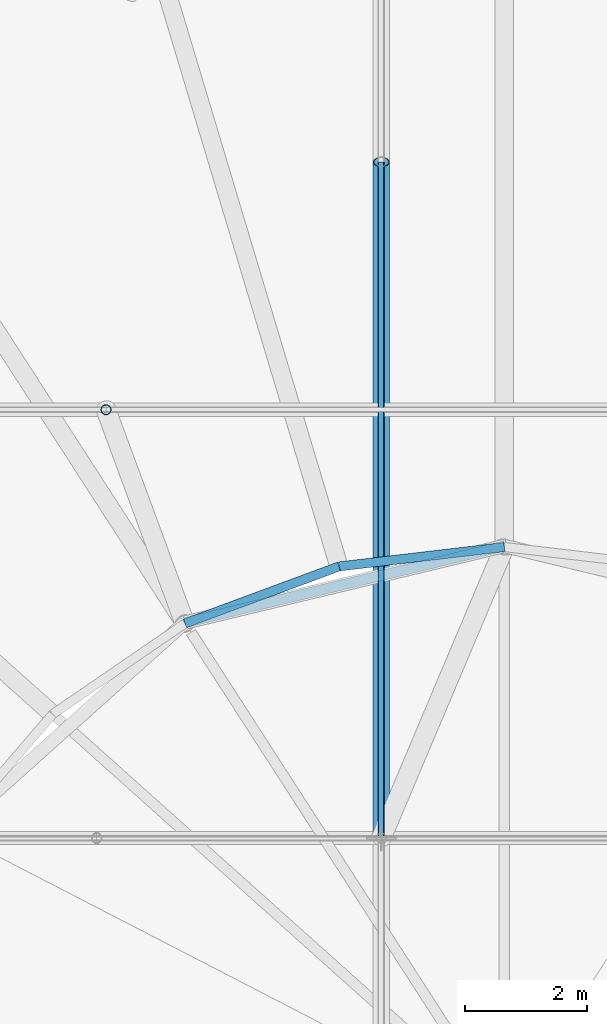
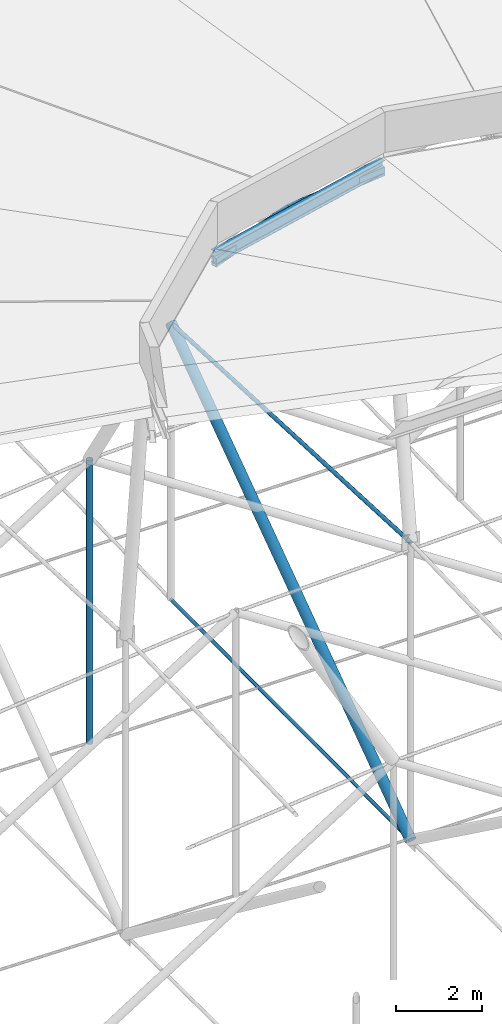
# One storey, part 63 of 173: 6 members, 1 beam.
"""IFC4 building model written with IfcOpenShell, lengths in metres."""

from ifc_helpers import new_model, si_unit, direction, frame, origin, origin_2d, place, context, subcontext, project, spatial, hollow_rectangle, circle, hollow_circle, i_section, extrude, material, material_profile, profile_set, type_object, element, save


model = new_model("IFC4")

# Units and contexts
model_context = context("Model", 3, precision=1e-05, world=origin(), true_north=direction((0.0, 1.0)))
body_context = subcontext(model_context, "Body", "Model", "MODEL_VIEW")
ifc_project = project(units=[si_unit("LENGTHUNIT", "METRE"), si_unit("AREAUNIT", "SQUARE_METRE"), si_unit("VOLUMEUNIT", "CUBIC_METRE"), si_unit("PLANEANGLEUNIT", "RADIAN"), si_unit("MASSUNIT", "GRAM", prefix="KILO")], contexts=[model_context])

# Site, building, storey
site_placement = place(None, origin())
site = spatial("IfcSite", under=ifc_project, at=site_placement, CompositionType="ELEMENT")
building_placement = place(site_placement, origin())
building = spatial("IfcBuilding", under=site, at=building_placement, Name="Glasvene Arena", CompositionType="ELEMENT")
storey_placement = place(building_placement, frame((0.0, 0.0, 28.800048828125)))
storey = spatial("IfcBuildingStorey", under=building, at=storey_placement, Name="RF", CompositionType="ELEMENT", Elevation=28.800048828125)

# Beam
ifc_material_1 = material(Name="Steel S355J2", Category="steel")
ifc_material_profile_1 = material_profile(ifc_material_1, i_section(OverallWidth=0.17138671875, OverallDepth=0.35498046875, WebThickness=0.00732421875, FlangeThickness=0.011474609375, FilletRadius=0.01025390625, at=origin_2d()), Name="UKB 356x171x51")
ifc_profile_set_1 = profile_set([ifc_material_profile_1], Name="Steel S355J2")
beam_type = type_object("IfcBeamType", Name="BM-JOIST-356", PredefinedType="JOIST", material=ifc_profile_set_1)
beam_placement = place(storey_placement, frame((86.199951171875, 77.800048828125, 13.079833984375), z_axis=(-0.972407411278, -0.233289147823, 0.0), x_axis=(0.233289147823, -0.972407411278, 0.0)))
element("IfcBeam", 1, at=beam_placement, inside=storey, type_object=beam_type, Name="Crown lantern perimeter ring beam 04", PredefinedType="JOIST", context=body_context, shape_type="SweptSolid", body=[
    extrude(i_section(OverallWidth=0.17138671875, OverallDepth=0.35498046875, WebThickness=0.00732421875, FlangeThickness=0.011474609375, FilletRadius=0.01025390625, at=origin_2d()), origin(), (0.0, 0.0, 1.0), 5.39892578125),
])

# Members
ifc_material_2 = material(Name="High-strength steel spiral strand S460", Category="steel")
ifc_material_profile_2 = material_profile(ifc_material_2, circle(Radius=0.052490234375, at=origin_2d()), Name="LCSS D105")
ifc_profile_set_2 = profile_set([ifc_material_profile_2], Name="High-strength steel spiral strand S460")
member_type_1 = type_object("IfcMemberType", Name="MB-CABLE-105", PredefinedType="USERDEFINED", material=ifc_profile_set_2)
member_1_placement = place(storey_placement, frame((84.17822265625, 73.0, 6.02001953125), z_axis=(0.0, 0.998903607399, -0.04681434743), x_axis=(-1.0, 0.0, 0.0)))
element("IfcMember", 2, at=member_1_placement, inside=storey, type_object=member_type_1, Name="Upper lens roof cable NS06-05", ObjectType="ROOF CABLE", PredefinedType="USERDEFINED", context=body_context, shape_type="SweptSolid", body=[
    extrude(circle(Radius=0.052490234375, at=origin_2d()), origin(), (0.0, 0.0, 1.0), 11.123779296875),
])
ifc_material_profile_3 = material_profile(ifc_material_2, circle(Radius=0.044921875, at=origin_2d()), Name="LCSS D90")
ifc_profile_set_3 = profile_set([ifc_material_profile_3], Name="High-strength steel spiral strand S460")
member_type_2 = type_object("IfcMemberType", Name="MB-CABLE-90", PredefinedType="USERDEFINED", material=ifc_profile_set_3)
member_2_placement = place(storey_placement, frame((84.17822265625, 73.0, -2.400146484375), z_axis=(0.0, 0.999978994674, 0.00648152843), x_axis=(-1.0, 0.0, 0.0)))
element("IfcMember", 3, at=member_2_placement, inside=storey, type_object=member_type_2, Name="Lower stabilization roof cable NS06-05", ObjectType="ROOF CABLE", PredefinedType="USERDEFINED", context=body_context, shape_type="SweptSolid", body=[
    extrude(circle(Radius=0.044921875, at=origin_2d()), origin(), (0.0, 0.0, 1.0), 11.11181640625),
])
ifc_material_profile_4 = material_profile(ifc_material_1, hollow_rectangle(XDim=0.14990234375, YDim=0.25, WallThickness=0.010009765625, at=origin_2d()), Name="RHS 250x150x10.0")
ifc_profile_set_4 = profile_set([ifc_material_profile_4], Name="Steel S355J2")
member_type_3 = type_object("IfcMemberType", Name="MB-PURLIN-RHS250", PredefinedType="PURLIN", material=ifc_profile_set_4)
member_3_placement = place(storey_placement, frame((86.199951171875, 77.782958984375, 12.951904296875), z_axis=(-0.993156084589, -0.116794655891, 0.0), x_axis=(0.116794655891, -0.993156084589, 0.0)))
element("IfcMember", 4, at=member_3_placement, inside=storey, type_object=member_type_3, Name="Petal ring 5 ridge purlin 07", PredefinedType="PURLIN", context=body_context, shape_type="SweptSolid", body=[
    extrude(hollow_rectangle(XDim=0.14990234375, YDim=0.25, WallThickness=0.010009765625, at=origin_2d()), origin(), (0.0, 0.0, 1.0), 2.736328125),
])
member_4_placement = place(storey_placement, frame((83.482421875, 77.46337890625, 12.951904296875), z_axis=(-0.937803277577, -0.347167124833, 0.0), x_axis=(0.347167124833, -0.937803277577, 0.0)))
element("IfcMember", 5, at=member_4_placement, inside=storey, type_object=member_type_3, Name="Petal ring 5 ridge purlin 08", PredefinedType="PURLIN", context=body_context, shape_type="SweptSolid", body=[
    extrude(hollow_rectangle(XDim=0.14990234375, YDim=0.25, WallThickness=0.010009765625, at=origin_2d()), origin(), (0.0, 0.0, 1.0), 2.700439453125),
])
ifc_material_profile_5 = material_profile(ifc_material_1, hollow_circle(Radius=0.084228515625, WallThickness=0.008056640625, at=origin_2d()), Name="CHS 168.3x8.0")
ifc_profile_set_5 = profile_set([ifc_material_profile_5], Name="Steel S355J2")
member_type_4 = type_object("IfcMemberType", Name="MB-WEB-CHS168", PredefinedType="BRACE", material=ifc_profile_set_5)
member_5_placement = place(storey_placement, frame((79.65380859375, 80.03955078125, -2.328125), z_axis=(0.0, 0.0, 1.0), x_axis=(1.0, 0.0, 0.0)))
element("IfcMember", 6, at=member_5_placement, inside=storey, type_object=member_type_4, Name="Cable-truss vertical strut EW05-03", PredefinedType="BRACE", context=body_context, shape_type="SweptSolid", body=[
    extrude(hollow_circle(Radius=0.084228515625, WallThickness=0.008056640625, at=origin_2d()), origin(), (0.0, 0.0, 1.0), 8.0185546875),
])
ifc_material_profile_6 = material_profile(ifc_material_1, hollow_circle(Radius=0.136474609375, WallThickness=0.012451171875, at=origin_2d()), Name="CHS 273.0x12.5")
ifc_profile_set_6 = profile_set([ifc_material_profile_6], Name="Steel S355J2")
member_type_5 = type_object("IfcMemberType", Name="MB-WEB-CHS273", PredefinedType="BRACE", material=ifc_profile_set_6)
member_6_placement = place(storey_placement, frame((84.17822265625, 73.0, -2.400146484375), z_axis=(0.0, 0.815029744029, 0.579419119764), x_axis=(-1.0, 0.0, 0.0)))
element("IfcMember", 7, at=member_6_placement, inside=storey, type_object=member_type_5, Name="Cable-truss diagonal web strut NS06-05", PredefinedType="BRACE", context=body_context, shape_type="SweptSolid", body=[
    extrude(hollow_circle(Radius=0.136474609375, WallThickness=0.012451171875, at=origin_2d()), origin(), (0.0, 0.0, 1.0), 13.63330078125),
])

save(model, "model.ifc")
